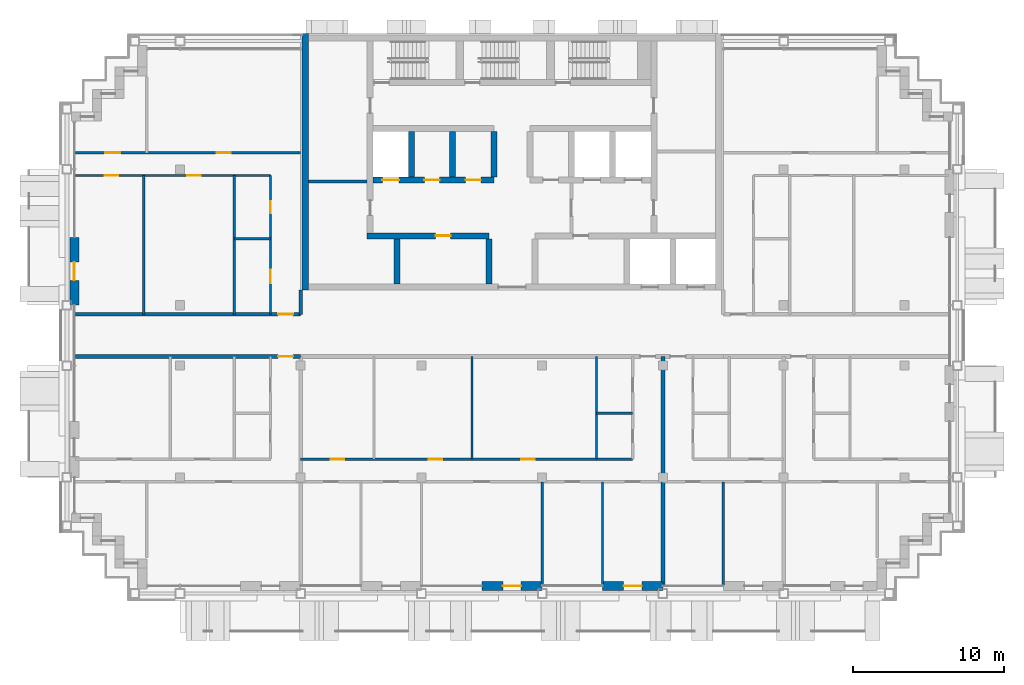
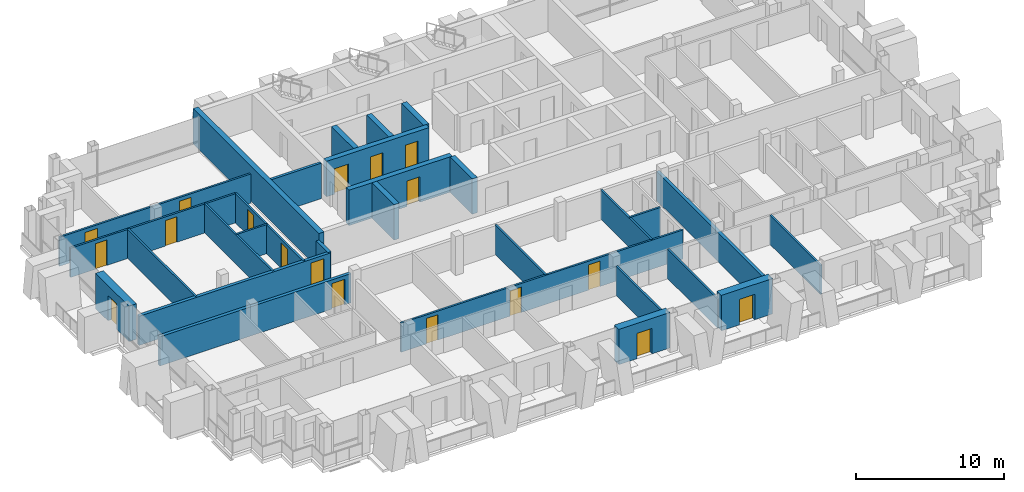
# One storey, part 8 of 15: 29 walls, 18 doors, 18 openings.
"""IFC4 building model written with IfcOpenShell, lengths in metres."""

from ifc_helpers import new_model, si_unit, direction, frame, frame_2d, origin, place, context, subcontext, project, spatial, rectangle, extrude, material, layer, layer_set, type_object, element, fill, save


model = new_model("IFC4")

# Units and contexts
model_context = context("Model", 3, precision=1e-05, world=origin(), true_north=direction((0.0, 1.0)))
body_context = subcontext(model_context, "Body", "Model", "MODEL_VIEW")
ifc_project = project(units=[si_unit("LENGTHUNIT", "METRE"), si_unit("AREAUNIT", "SQUARE_METRE"), si_unit("VOLUMEUNIT", "CUBIC_METRE"), si_unit("PLANEANGLEUNIT", "RADIAN"), si_unit("MASSUNIT", "GRAM", prefix="KILO")], contexts=[model_context])

# Site, building, storey
site_placement = place(None, origin())
site = spatial("IfcSite", under=ifc_project, at=site_placement, CompositionType="ELEMENT")
building_placement = place(site_placement, origin())
building = spatial("IfcBuilding", under=site, at=building_placement, Name="Vidyagriha Tower", CompositionType="ELEMENT")
storey_placement = place(building_placement, frame((0.0, 0.0, 210.800048828125)))
storey = spatial("IfcBuildingStorey", under=building, at=storey_placement, Name="L54", CompositionType="ELEMENT", Elevation=210.800048828125)

# Wall, opening, door
ifc_material_1 = material(Name="Precast concrete C40/50 with brick facing", Category="concrete")
ifc_layer_1 = layer(ifc_material_1, 0.60009765625)
ifc_layer_set_1 = layer_set([ifc_layer_1], Name="Precast concrete C40/50 with brick facing")
wall_type_1 = type_object("IfcWallType", Name="Brick-faced precast wall 600", PredefinedType="STANDARD", material=ifc_layer_set_1)
wall_1_placement = place(storey_placement, frame((-29.0, 6.5, 0.0), z_axis=(0.0, 0.0, 1.0), x_axis=(0.0, -1.0, 0.0)))
wall_1 = element("IfcWall", 1, at=wall_1_placement, inside=storey, type_object=wall_type_1, Name="Brick door bay wall L54 R16.3", PredefinedType="STANDARD", context=body_context, shape_type="SweptSolid", body=[
    extrude(rectangle(XDim=4.5, YDim=0.60009765625, at=frame_2d((2.25, 0.0))), origin(), (0.0, 0.0, 1.0), 2.919921875),
])
opening_1_placement = place(wall_1_placement, frame((1.64990234375, 0.0, 0.0)))
opening_1 = element("IfcOpeningElement", 2, at=opening_1_placement, cuts=wall_1, Name="Opening D54-59", PredefinedType="OPENING", context=body_context, shape_type="SweptSolid", body=[
    extrude(rectangle(XDim=1.199951171875, YDim=2.10009765625, at=frame_2d((0.60009765625, 1.050048828125))), frame((0.0, 0.31005859375, 0.0), z_axis=(0.0, -1.0, 0.0), x_axis=(1.0, 0.0, 0.0)), (0.0, 0.0, 1.0), 0.6201171875),
])
ifc_material_2 = material(Name="Aluminium framed glazed sliding door", Category="aluminium")
door_type_1 = type_object("IfcDoorType", Name="Balcony sliding door 1200x2100", OperationType="NOTDEFINED", PredefinedType="DOOR", material=ifc_material_2)
door_1_placement = place(opening_1_placement, origin())
door_1 = element("IfcDoor", 3, at=door_1_placement, inside=storey, type_object=door_type_1, Name="Door D54-59", OperationType="SLIDING_TO_LEFT", OverallHeight=2.10009765625, OverallWidth=1.199951171875, PredefinedType="DOOR", context=body_context, shape_type="SweptSolid", body=[
    extrude(rectangle(XDim=1.199951171875, YDim=2.10009765625, at=frame_2d((0.60009765625, 1.050048828125))), frame((0.0, 0.02490234375, 0.0), z_axis=(0.0, -1.0, 0.0), x_axis=(1.0, 0.0, 0.0)), (0.0, 0.0, 1.0), 0.050048828125),
])
fill(opening_1, door_1)

wall_2_placement = place(storey_placement, frame((-2.0, -16.60009765625, 0.0)))
wall_2 = element("IfcWall", 4, at=wall_2_placement, inside=storey, type_object=wall_type_1, Name="Brick door bay wall L54 R23.7", PredefinedType="STANDARD", context=body_context, shape_type="SweptSolid", body=[
    extrude(rectangle(XDim=4.0, YDim=0.60009765625, at=frame_2d((2.0, 0.0))), origin(), (0.0, 0.0, 1.0), 2.919921875),
])
opening_2_placement = place(wall_2_placement, frame((1.39990234375, 0.0, 0.0)))
opening_2 = element("IfcOpeningElement", 5, at=opening_2_placement, cuts=wall_2, Name="Opening D54-63", PredefinedType="OPENING", context=body_context, shape_type="SweptSolid", body=[
    extrude(rectangle(XDim=1.199951171875, YDim=2.10009765625, at=frame_2d((0.60009765625, 1.050048828125))), frame((0.0, 0.31005859375, 0.0), z_axis=(0.0, -1.0, 0.0), x_axis=(1.0, 0.0, 0.0)), (0.0, 0.0, 1.0), 0.6201171875),
])
door_2_placement = place(opening_2_placement, origin())
door_2 = element("IfcDoor", 6, at=door_2_placement, inside=storey, type_object=door_type_1, Name="Door D54-63", OperationType="SLIDING_TO_LEFT", OverallHeight=2.10009765625, OverallWidth=1.199951171875, PredefinedType="DOOR", context=body_context, shape_type="SweptSolid", body=[
    extrude(rectangle(XDim=1.199951171875, YDim=2.10009765625, at=frame_2d((0.60009765625, 1.050048828125))), frame((0.0, 0.02490234375, 0.0), z_axis=(0.0, -1.0, 0.0), x_axis=(1.0, 0.0, 0.0)), (0.0, 0.0, 1.0), 0.050048828125),
])
fill(opening_2, door_2)

wall_3_placement = place(storey_placement, frame((6.0, -16.60009765625, 0.0)))
wall_3 = element("IfcWall", 7, at=wall_3_placement, inside=storey, type_object=wall_type_1, Name="Brick door bay wall L54 R23.9", PredefinedType="STANDARD", context=body_context, shape_type="SweptSolid", body=[
    extrude(rectangle(XDim=4.0, YDim=0.60009765625, at=frame_2d((2.0, 0.0))), origin(), (0.0, 0.0, 1.0), 2.919921875),
])
opening_3_placement = place(wall_3_placement, frame((1.39990234375, 0.0, 0.0)))
opening_3 = element("IfcOpeningElement", 8, at=opening_3_placement, cuts=wall_3, Name="Opening D54-64", PredefinedType="OPENING", context=body_context, shape_type="SweptSolid", body=[
    extrude(rectangle(XDim=1.199951171875, YDim=2.10009765625, at=frame_2d((0.60009765625, 1.050048828125))), frame((0.0, 0.31005859375, 0.0), z_axis=(0.0, -1.0, 0.0), x_axis=(1.0, 0.0, 0.0)), (0.0, 0.0, 1.0), 0.6201171875),
])
door_3_placement = place(opening_3_placement, origin())
door_3 = element("IfcDoor", 9, at=door_3_placement, inside=storey, type_object=door_type_1, Name="Door D54-64", OperationType="SLIDING_TO_LEFT", OverallHeight=2.10009765625, OverallWidth=1.199951171875, PredefinedType="DOOR", context=body_context, shape_type="SweptSolid", body=[
    extrude(rectangle(XDim=1.199951171875, YDim=2.10009765625, at=frame_2d((0.60009765625, 1.050048828125))), frame((0.0, 0.02490234375, 0.0), z_axis=(0.0, -1.0, 0.0), x_axis=(1.0, 0.0, 0.0)), (0.0, 0.0, 1.0), 0.050048828125),
])
fill(opening_3, door_3)

# Wall
ifc_material_3 = material(Name="Concrete C60/75", Category="concrete")
ifc_layer_2 = layer(ifc_material_3, 0.39990234375)
ifc_layer_set_2 = layer_set([ifc_layer_2], Name="Concrete C60/75")
wall_type_2 = type_object("IfcWallType", Name="Core shear wall 400 mm", PredefinedType="SHEAR", material=ifc_layer_set_2)
wall_4_placement = place(storey_placement, frame((-13.699951171875, 3.0, 0.0), z_axis=(0.0, 0.0, 1.0), x_axis=(0.0, 1.0, 0.0)))
element("IfcWall", 10, at=wall_4_placement, inside=storey, type_object=wall_type_2, Name="Core west wall", PredefinedType="SHEAR", context=body_context, shape_type="SweptSolid", body=[
    extrude(rectangle(XDim=17.0, YDim=0.39990234375, at=frame_2d((8.5, 0.0))), origin(), (0.0, 0.0, 1.0), 2.919921875),
])

# Wall, opening, door
wall_5_placement = place(storey_placement, frame((-9.60009765625, 6.60009765625, 0.0)))
wall_5 = element("IfcWall", 11, at=wall_5_placement, inside=storey, type_object=wall_type_2, Name="Core lobby south wall west", PredefinedType="SHEAR", context=body_context, shape_type="SweptSolid", body=[
    extrude(rectangle(XDim=8.077880859375, YDim=0.39990234375, at=frame_2d((4.0390625, 0.0))), origin(), (0.0, 0.0, 1.0), 2.919921875),
])
opening_4_placement = place(wall_5_placement, frame((4.533203125, 0.0, 0.0)))
opening_4 = element("IfcOpeningElement", 12, at=opening_4_placement, cuts=wall_5, Name="Opening D54-02", PredefinedType="OPENING", context=body_context, shape_type="SweptSolid", body=[
    extrude(rectangle(XDim=1.0, YDim=2.10009765625, at=frame_2d((0.5, 1.050048828125))), frame((0.0, 0.2099609375, 0.0), z_axis=(0.0, -1.0, 0.0), x_axis=(1.0, 0.0, 0.0)), (0.0, 0.0, 1.0), 0.419921875),
])
ifc_material_4 = material(Name="Hollow metal door leaf")
door_type_2 = type_object("IfcDoorType", Name="Core room door 1000 x 2100 mm EI 60", OperationType="NOTDEFINED", PredefinedType="DOOR", material=ifc_material_4)
door_4_placement = place(opening_4_placement, origin())
door_4 = element("IfcDoor", 13, at=door_4_placement, inside=storey, type_object=door_type_2, Name="Door Cleaners Store 54.01", OperationType="SINGLE_SWING_RIGHT", OverallHeight=2.10009765625, OverallWidth=1.0, PredefinedType="DOOR", context=body_context, shape_type="SweptSolid", body=[
    extrude(rectangle(XDim=1.0, YDim=2.10009765625, at=frame_2d((0.5, 1.050048828125))), frame((0.0, 0.02490234375, 0.0), z_axis=(0.0, -1.0, 0.0), x_axis=(1.0, 0.0, 0.0)), (0.0, 0.0, 1.0), 0.050048828125),
])
fill(opening_4, door_4)

# Walls
for number, where, z_axis, x_axis, name in (
    (14, (-7.611083984375, 3.39990234375, 0.0), (0.0, 0.0, 1.0), (0.0, 1.0, 0.0), "Core bay wall S2"),
    (15, (-1.522216796875, 3.39990234375, 0.0), (0.0, 0.0, 1.0), (0.0, 1.0, 0.0), "Core bay wall S4"),
):
    element("IfcWall", number, at=place(storey_placement, frame(where, z_axis=z_axis, x_axis=x_axis)), inside=storey, type_object=wall_type_2, Name=name, PredefinedType="SHEAR", context=body_context, shape_type="SweptSolid", body=[
        extrude(rectangle(XDim=3.0, YDim=0.39990234375, at=frame_2d((1.5, 0.0))), origin(), (0.0, 0.0, 1.0), 2.919921875),
    ])

# Wall, openings, doors
wall_6_placement = place(storey_placement, frame((-9.199951171875, 10.300048828125, 0.0)))
wall_6 = element("IfcWall", 16, at=wall_6_placement, inside=storey, type_object=wall_type_2, Name="Core row N front wall", PredefinedType="SHEAR", context=body_context, shape_type="SweptSolid", body=[
    extrude(rectangle(XDim=8.0, YDim=0.39990234375, at=frame_2d((4.0, 0.0))), origin(), (0.0, 0.0, 1.0), 2.919921875),
])
opening_5_placement = place(wall_6_placement, frame((0.61669921875, 0.0, 0.0)))
opening_5 = element("IfcOpeningElement", 17, at=opening_5_placement, cuts=wall_6, Name="Opening LD54-03", PredefinedType="OPENING", context=body_context, shape_type="SweptSolid", body=[
    extrude(rectangle(XDim=1.10009765625, YDim=2.10009765625, at=frame_2d((0.550048828125, 1.050048828125))), frame((0.0, 0.2099609375, 0.0), z_axis=(0.0, -1.0, 0.0), x_axis=(1.0, 0.0, 0.0)), (0.0, 0.0, 1.0), 0.419921875),
])
opening_6_placement = place(wall_6_placement, frame((3.39990234375, 0.0, 0.0)))
opening_6 = element("IfcOpeningElement", 18, at=opening_6_placement, cuts=wall_6, Name="Opening D54-04", PredefinedType="OPENING", context=body_context, shape_type="SweptSolid", body=[
    extrude(rectangle(XDim=1.0, YDim=2.10009765625, at=frame_2d((0.5, 1.050048828125))), frame((0.0, 0.2099609375, 0.0), z_axis=(0.0, -1.0, 0.0), x_axis=(1.0, 0.0, 0.0)), (0.0, 0.0, 1.0), 0.419921875),
])
opening_7_placement = place(wall_6_placement, frame((6.13330078125, 0.0, 0.0)))
opening_7 = element("IfcOpeningElement", 19, at=opening_7_placement, cuts=wall_6, Name="Opening D54-05", PredefinedType="OPENING", context=body_context, shape_type="SweptSolid", body=[
    extrude(rectangle(XDim=1.0, YDim=2.10009765625, at=frame_2d((0.5, 1.050048828125))), frame((0.0, 0.2099609375, 0.0), z_axis=(0.0, -1.0, 0.0), x_axis=(1.0, 0.0, 0.0)), (0.0, 0.0, 1.0), 0.419921875),
])
door_5_placement = place(opening_6_placement, frame((1.0, 0.0, 0.0), z_axis=(0.0, 0.0, 1.0), x_axis=(-1.0, 0.0, 0.0)))
door_5 = element("IfcDoor", 20, at=door_5_placement, inside=storey, type_object=door_type_2, Name="Door Storage Room 54.14", OperationType="SINGLE_SWING_RIGHT", OverallHeight=2.10009765625, OverallWidth=1.0, PredefinedType="DOOR", context=body_context, shape_type="SweptSolid", body=[
    extrude(rectangle(XDim=1.0, YDim=2.10009765625, at=frame_2d((0.5, 1.050048828125))), frame((0.0, 0.02490234375, 0.0), z_axis=(0.0, -1.0, 0.0), x_axis=(1.0, 0.0, 0.0)), (0.0, 0.0, 1.0), 0.050048828125),
])
fill(opening_6, door_5)
door_6_placement = place(opening_7_placement, frame((1.0, 0.0, 0.0), z_axis=(0.0, 0.0, 1.0), x_axis=(-1.0, 0.0, 0.0)))
door_6 = element("IfcDoor", 21, at=door_6_placement, inside=storey, type_object=door_type_2, Name="Door Communications Room 54.15", OperationType="SINGLE_SWING_LEFT", OverallHeight=2.10009765625, OverallWidth=1.0, PredefinedType="DOOR", context=body_context, shape_type="SweptSolid", body=[
    extrude(rectangle(XDim=1.0, YDim=2.10009765625, at=frame_2d((0.5, 1.050048828125))), frame((0.0, 0.02490234375, 0.0), z_axis=(0.0, -1.0, 0.0), x_axis=(1.0, 0.0, 0.0)), (0.0, 0.0, 1.0), 0.050048828125),
])
fill(opening_7, door_6)
ifc_material_5 = material(Name="Stainless steel sliding door panel", Category="steel")
door_type_3 = type_object("IfcDoorType", Name="Lift landing door 1100 x 2100 mm EI 90", OperationType="NOTDEFINED", PredefinedType="DOOR", material=ifc_material_5)
door_7_placement = place(opening_5_placement, origin())
door_7 = element("IfcDoor", 22, at=door_7_placement, inside=storey, type_object=door_type_3, Name="Landing door MR3 L54", OperationType="SLIDING_TO_LEFT", OverallHeight=2.10009765625, OverallWidth=1.10009765625, PredefinedType="DOOR", context=body_context, shape_type="SweptSolid", body=[
    extrude(rectangle(XDim=1.10009765625, YDim=2.10009765625, at=frame_2d((0.550048828125, 1.050048828125))), frame((0.0, 0.02490234375, 0.0), z_axis=(0.0, -1.0, 0.0), x_axis=(1.0, 0.0, 0.0)), (0.0, 0.0, 1.0), 0.050048828125),
])
fill(opening_5, door_7)

# Walls
for number, where, z_axis, x_axis, name in (
    (23, (-6.666748046875, 10.5, 0.0), (0.0, 0.0, 1.0), (0.0, 1.0, 0.0), "Core bay wall N1"),
    (24, (-3.933349609375, 10.5, 0.0), (0.0, 0.0, 1.0), (0.0, 1.0, 0.0), "Core bay wall N2"),
    (25, (-1.199951171875, 10.5, 0.0), (0.0, 0.0, 1.0), (0.0, 1.0, 0.0), "Core bay wall N3"),
):
    element("IfcWall", number, at=place(storey_placement, frame(where, z_axis=z_axis, x_axis=x_axis)), inside=storey, type_object=wall_type_2, Name=name, PredefinedType="SHEAR", context=body_context, shape_type="SweptSolid", body=[
        extrude(rectangle(XDim=3.0, YDim=0.39990234375, at=frame_2d((1.5, 0.0))), origin(), (0.0, 0.0, 1.0), 2.919921875),
    ])

# Wall, opening, door
ifc_material_6 = material(Name="Fired clay brick masonry", Category="masonry")
ifc_layer_3 = layer(ifc_material_6, 0.25)
ifc_layer_set_3 = layer_set([ifc_layer_3], Name="Fired clay brick masonry")
wall_type_3 = type_object("IfcWallType", Name="Fired clay brick corridor wall 250", PredefinedType="PARTITIONING", material=ifc_layer_set_3)
wall_7_placement = place(storey_placement, frame((-14.0, -1.39990234375, 0.0), z_axis=(0.0, 0.0, 1.0), x_axis=(-1.0, 0.0, 0.0)))
wall_7 = element("IfcWall", 26, at=wall_7_placement, inside=storey, type_object=wall_type_3, Name="Wall all-L54-w064", PredefinedType="PARTITIONING", context=body_context, shape_type="SweptSolid", body=[
    extrude(rectangle(XDim=14.919921875, YDim=0.25, at=frame_2d((7.4599609375, 0.0))), origin(), (0.0, 0.0, 1.0), 2.39990234375),
])
opening_8_placement = place(wall_7_placement, frame((0.5, 0.0, 0.0)))
opening_8 = element("IfcOpeningElement", 27, at=opening_8_placement, cuts=wall_7, Name="Opening D54-21", PredefinedType="OPENING", context=body_context, shape_type="SweptSolid", body=[
    extrude(rectangle(XDim=1.0, YDim=2.10009765625, at=frame_2d((0.5, 1.050048828125))), frame((0.0, 0.135009765625, 0.0), z_axis=(0.0, -1.0, 0.0), x_axis=(1.0, 0.0, 0.0)), (0.0, 0.0, 1.0), 0.27001953125),
])
ifc_material_7 = material(Name="Fire-rated timber door leaf EI 60", Category="wood")
door_type_4 = type_object("IfcDoorType", Name="Flat entrance fire door 1000x2100", OperationType="NOTDEFINED", PredefinedType="DOOR", material=ifc_material_7)
door_8_placement = place(opening_8_placement, origin())
door_8 = element("IfcDoor", 28, at=door_8_placement, inside=storey, type_object=door_type_4, Name="Door D54-21", OperationType="SINGLE_SWING_LEFT", OverallHeight=2.10009765625, OverallWidth=1.0, PredefinedType="DOOR", context=body_context, shape_type="SweptSolid", body=[
    extrude(rectangle(XDim=1.0, YDim=2.10009765625, at=frame_2d((0.5, 1.050048828125))), frame((0.0, 0.02490234375, 0.0), z_axis=(0.0, -1.0, 0.0), x_axis=(1.0, 0.0, 0.0)), (0.0, 0.0, 1.0), 0.050048828125),
])
fill(opening_8, door_8)

wall_8_placement = place(storey_placement, frame((-28.919921875, 1.39990234375, 0.0)))
wall_8 = element("IfcWall", 29, at=wall_8_placement, inside=storey, type_object=wall_type_3, Name="Wall all-L54-w080", PredefinedType="PARTITIONING", context=body_context, shape_type="SweptSolid", body=[
    extrude(rectangle(XDim=14.919921875, YDim=0.25, at=frame_2d((7.4599609375, 0.0))), origin(), (0.0, 0.0, 1.0), 2.39990234375),
])
opening_9_placement = place(wall_8_placement, frame((13.419921875, 0.0, 0.0)))
opening_9 = element("IfcOpeningElement", 30, at=opening_9_placement, cuts=wall_8, Name="Opening D54-51", PredefinedType="OPENING", context=body_context, shape_type="SweptSolid", body=[
    extrude(rectangle(XDim=1.0, YDim=2.10009765625, at=frame_2d((0.5, 1.050048828125))), frame((0.0, 0.135009765625, 0.0), z_axis=(0.0, -1.0, 0.0), x_axis=(1.0, 0.0, 0.0)), (0.0, 0.0, 1.0), 0.27001953125),
])
door_9_placement = place(opening_9_placement, origin())
door_9 = element("IfcDoor", 31, at=door_9_placement, inside=storey, type_object=door_type_4, Name="Door D54-51", OperationType="SINGLE_SWING_RIGHT", OverallHeight=2.10009765625, OverallWidth=1.0, PredefinedType="DOOR", context=body_context, shape_type="SweptSolid", body=[
    extrude(rectangle(XDim=1.0, YDim=2.10009765625, at=frame_2d((0.5, 1.050048828125))), frame((0.0, 0.02490234375, 0.0), z_axis=(0.0, -1.0, 0.0), x_axis=(1.0, 0.0, 0.0)), (0.0, 0.0, 1.0), 0.050048828125),
])
fill(opening_9, door_9)

# Walls
wall_9_placement = place(storey_placement, frame((-14.0, 3.0, 0.0), z_axis=(0.0, 0.0, 1.0), x_axis=(0.0, -1.0, 0.0)))
element("IfcWall", 32, at=wall_9_placement, inside=storey, type_object=wall_type_3, Name="Wall all-L54-w097", PredefinedType="PARTITIONING", context=body_context, shape_type="SweptSolid", body=[
    extrude(rectangle(XDim=1.60009765625, YDim=0.25, at=frame_2d((0.800048828125, 0.0))), origin(), (0.0, 0.0, 1.0), 2.39990234375),
])
ifc_material_8 = material(Name="Fired clay brick masonry", Category="masonry")
ifc_layer_4 = layer(ifc_material_8, 0.25)
ifc_layer_set_4 = layer_set([ifc_layer_4], Name="Fired clay brick masonry")
wall_type_4 = type_object("IfcWallType", Name="Fired clay brick demising wall 250", PredefinedType="PARTITIONING", material=ifc_layer_set_4)
wall_10_placement = place(storey_placement, frame((10.0, -1.39990234375, 0.0), z_axis=(0.0, 0.0, 1.0), x_axis=(0.0, -1.0, 0.0)))
element("IfcWall", 33, at=wall_10_placement, inside=storey, type_object=wall_type_4, Name="Wall all-L54-w050", PredefinedType="PARTITIONING", context=body_context, shape_type="SweptSolid", body=[
    extrude(rectangle(XDim=15.110107421875, YDim=0.25, at=frame_2d((7.55517578125, 0.0))), origin(), (0.0, 0.0, 1.0), 2.39990234375),
])
ifc_material_9 = material(Name="Gypsum board partition")
ifc_layer_5 = layer(ifc_material_9, 0.14990234375)
ifc_layer_set_5 = layer_set([ifc_layer_5], Name="Gypsum board partition")
wall_type_5 = type_object("IfcWallType", Name="Gypsum board partition 150", PredefinedType="PARTITIONING", material=ifc_layer_set_5)
wall_11_placement = place(storey_placement, frame((8.0, -5.14990234375, 0.0), z_axis=(0.0, 0.0, 1.0), x_axis=(-1.0, 0.0, 0.0)))
element("IfcWall", 34, at=wall_11_placement, inside=storey, type_object=wall_type_5, Name="Wall all-L54-w018", PredefinedType="PARTITIONING", context=body_context, shape_type="SweptSolid", body=[
    extrude(rectangle(XDim=2.39990234375, YDim=0.14990234375, at=frame_2d((1.199951171875, 0.0))), origin(), (0.0, 0.0, 1.0), 2.39990234375),
])
for number, where, z_axis, x_axis, name in (
    (35, (5.60009765625, -8.199951171875, 0.0), (0.0, 0.0, 1.0), (0.0, 1.0, 0.0), "Wall all-L54-w019"),
    (36, (-2.64990234375, -8.199951171875, 0.0), (0.0, 0.0, 1.0), (0.0, 1.0, 0.0), "Wall all-L54-w020"),
):
    element("IfcWall", number, at=place(storey_placement, frame(where, z_axis=z_axis, x_axis=x_axis)), inside=storey, type_object=wall_type_5, Name=name, PredefinedType="PARTITIONING", context=body_context, shape_type="SweptSolid", body=[
        extrude(rectangle(XDim=6.800048828125, YDim=0.14990234375, at=frame_2d((3.39990234375, 0.0))), origin(), (0.0, 0.0, 1.0), 2.39990234375),
    ])

# Wall, openings, doors
wall_12_placement = place(storey_placement, frame((-14.0, -8.199951171875, 0.0)))
wall_12 = element("IfcWall", 37, at=wall_12_placement, inside=storey, type_object=wall_type_5, Name="Wall all-L54-w022", PredefinedType="PARTITIONING", context=body_context, shape_type="SweptSolid", body=[
    extrude(rectangle(XDim=22.0, YDim=0.14990234375, at=frame_2d((11.0, 0.0))), origin(), (0.0, 0.0, 1.0), 2.39990234375),
])
opening_10_placement = place(wall_12_placement, frame((14.6240234375, 0.0, 0.0)))
opening_10 = element("IfcOpeningElement", 38, at=opening_10_placement, cuts=wall_12, Name="Opening D54-24", PredefinedType="OPENING", context=body_context, shape_type="SweptSolid", body=[
    extrude(rectangle(XDim=0.89990234375, YDim=2.10009765625, at=frame_2d((0.449951171875, 1.050048828125))), frame((0.0, 0.0849609375, 0.0), z_axis=(0.0, -1.0, 0.0), x_axis=(1.0, 0.0, 0.0)), (0.0, 0.0, 1.0), 0.169921875),
])
opening_11_placement = place(wall_12_placement, frame((8.47607421875, 0.0, 0.0)))
opening_11 = element("IfcOpeningElement", 39, at=opening_11_placement, cuts=wall_12, Name="Opening D54-25", PredefinedType="OPENING", context=body_context, shape_type="SweptSolid", body=[
    extrude(rectangle(XDim=0.89990234375, YDim=2.10009765625, at=frame_2d((0.449951171875, 1.050048828125))), frame((0.0, 0.0849609375, 0.0), z_axis=(0.0, -1.0, 0.0), x_axis=(1.0, 0.0, 0.0)), (0.0, 0.0, 1.0), 0.169921875),
])
opening_12_placement = place(wall_12_placement, frame((1.97509765625, 0.0, 0.0)))
opening_12 = element("IfcOpeningElement", 40, at=opening_12_placement, cuts=wall_12, Name="Opening D54-26", PredefinedType="OPENING", context=body_context, shape_type="SweptSolid", body=[
    extrude(rectangle(XDim=0.89990234375, YDim=2.10009765625, at=frame_2d((0.449951171875, 1.050048828125))), frame((0.0, 0.0849609375, 0.0), z_axis=(0.0, -1.0, 0.0), x_axis=(1.0, 0.0, 0.0)), (0.0, 0.0, 1.0), 0.169921875),
])
ifc_material_10 = material(Name="Timber door leaf", Category="wood")
door_type_5 = type_object("IfcDoorType", Name="Room door 900x2100", OperationType="NOTDEFINED", PredefinedType="DOOR", material=ifc_material_10)
door_10_placement = place(opening_10_placement, origin())
door_10 = element("IfcDoor", 41, at=door_10_placement, inside=storey, type_object=door_type_5, Name="Door D54-24", OperationType="SINGLE_SWING_LEFT", OverallHeight=2.10009765625, OverallWidth=0.89990234375, PredefinedType="DOOR", context=body_context, shape_type="SweptSolid", body=[
    extrude(rectangle(XDim=0.89990234375, YDim=2.10009765625, at=frame_2d((0.449951171875, 1.050048828125))), frame((0.0, 0.02490234375, 0.0), z_axis=(0.0, -1.0, 0.0), x_axis=(1.0, 0.0, 0.0)), (0.0, 0.0, 1.0), 0.050048828125),
])
fill(opening_10, door_10)
door_11_placement = place(opening_11_placement, origin())
door_11 = element("IfcDoor", 42, at=door_11_placement, inside=storey, type_object=door_type_5, Name="Door D54-25", OperationType="SINGLE_SWING_RIGHT", OverallHeight=2.10009765625, OverallWidth=0.89990234375, PredefinedType="DOOR", context=body_context, shape_type="SweptSolid", body=[
    extrude(rectangle(XDim=0.89990234375, YDim=2.10009765625, at=frame_2d((0.449951171875, 1.050048828125))), frame((0.0, 0.02490234375, 0.0), z_axis=(0.0, -1.0, 0.0), x_axis=(1.0, 0.0, 0.0)), (0.0, 0.0, 1.0), 0.050048828125),
])
fill(opening_11, door_11)
door_12_placement = place(opening_12_placement, origin())
door_12 = element("IfcDoor", 43, at=door_12_placement, inside=storey, type_object=door_type_5, Name="Door D54-26", OperationType="SINGLE_SWING_RIGHT", OverallHeight=2.10009765625, OverallWidth=0.89990234375, PredefinedType="DOOR", context=body_context, shape_type="SweptSolid", body=[
    extrude(rectangle(XDim=0.89990234375, YDim=2.10009765625, at=frame_2d((0.449951171875, 1.050048828125))), frame((0.0, 0.02490234375, 0.0), z_axis=(0.0, -1.0, 0.0), x_axis=(1.0, 0.0, 0.0)), (0.0, 0.0, 1.0), 0.050048828125),
])
fill(opening_12, door_12)

# Walls
wall_13_placement = place(storey_placement, frame((2.0, -9.699951171875, 0.0), z_axis=(0.0, 0.0, 1.0), x_axis=(0.0, -1.0, 0.0)))
element("IfcWall", 44, at=wall_13_placement, inside=storey, type_object=wall_type_5, Name="Wall all-L54-w034", PredefinedType="PARTITIONING", context=body_context, shape_type="SweptSolid", body=[
    extrude(rectangle(XDim=6.81005859375, YDim=0.14990234375, at=frame_2d((3.405029296875, 0.0))), origin(), (0.0, 0.0, 1.0), 2.39990234375),
])
for number, where, z_axis, x_axis, name in (
    (45, (6.0, -9.699951171875, 0.0), (0.0, 0.0, 1.0), (0.0, -1.0, 0.0), "Wall all-L54-w035"),
    (46, (14.0, -9.699951171875, 0.0), (0.0, 0.0, 1.0), (0.0, -1.0, 0.0), "Wall all-L54-w048"),
):
    element("IfcWall", number, at=place(storey_placement, frame(where, z_axis=z_axis, x_axis=x_axis)), inside=storey, type_object=wall_type_5, Name=name, PredefinedType="PARTITIONING", context=body_context, shape_type="SweptSolid", body=[
        extrude(rectangle(XDim=6.821044921875, YDim=0.14990234375, at=frame_2d((3.41064453125, 0.0))), origin(), (0.0, 0.0, 1.0), 2.39990234375),
    ])
wall_14_placement = place(storey_placement, frame((-18.39990234375, 6.39990234375, 0.0)))
element("IfcWall", 47, at=wall_14_placement, inside=storey, type_object=wall_type_5, Name="Wall all-L54-w069", PredefinedType="PARTITIONING", context=body_context, shape_type="SweptSolid", body=[
    extrude(rectangle(XDim=2.39990234375, YDim=0.14990234375, at=frame_2d((1.199951171875, 0.0))), origin(), (0.0, 0.0, 1.0), 2.39990234375),
])
for number, where, z_axis, x_axis, name in (
    (48, (-18.39990234375, 1.39990234375, 0.0), (0.0, 0.0, 1.0), (0.0, 1.0, 0.0), "Wall all-L54-w070"),
    (49, (-24.39990234375, 1.39990234375, 0.0), (0.0, 0.0, 1.0), (0.0, 1.0, 0.0), "Wall all-L54-w071"),
):
    element("IfcWall", number, at=place(storey_placement, frame(where, z_axis=z_axis, x_axis=x_axis)), inside=storey, type_object=wall_type_5, Name=name, PredefinedType="PARTITIONING", context=body_context, shape_type="SweptSolid", body=[
        extrude(rectangle(XDim=9.2001953125, YDim=0.14990234375, at=frame_2d((4.60009765625, 0.0))), origin(), (0.0, 0.0, 1.0), 2.39990234375),
    ])

# Wall, openings, doors
wall_15_placement = place(storey_placement, frame((-16.0, 10.60009765625, 0.0), z_axis=(0.0, 0.0, 1.0), x_axis=(-1.0, 0.0, 0.0)))
wall_15 = element("IfcWall", 50, at=wall_15_placement, inside=storey, type_object=wall_type_5, Name="Wall all-L54-w072", PredefinedType="PARTITIONING", context=body_context, shape_type="SweptSolid", body=[
    extrude(rectangle(XDim=12.919921875, YDim=0.14990234375, at=frame_2d((6.4599609375, 0.0))), origin(), (0.0, 0.0, 1.0), 2.39990234375),
])
opening_13_placement = place(wall_15_placement, frame((4.6240234375, 0.0, 0.0)))
opening_13 = element("IfcOpeningElement", 51, at=opening_13_placement, cuts=wall_15, Name="Opening D54-47", PredefinedType="OPENING", context=body_context, shape_type="SweptSolid", body=[
    extrude(rectangle(XDim=0.89990234375, YDim=2.10009765625, at=frame_2d((0.449951171875, 1.050048828125))), frame((0.0, 0.0849609375, 0.0), z_axis=(0.0, -1.0, 0.0), x_axis=(1.0, 0.0, 0.0)), (0.0, 0.0, 1.0), 0.169921875),
])
opening_14_placement = place(wall_15_placement, frame((10.10009765625, 0.0, 0.0)))
opening_14 = element("IfcOpeningElement", 52, at=opening_14_placement, cuts=wall_15, Name="Opening D54-48", PredefinedType="OPENING", context=body_context, shape_type="SweptSolid", body=[
    extrude(rectangle(XDim=0.89990234375, YDim=2.10009765625, at=frame_2d((0.449951171875, 1.050048828125))), frame((0.0, 0.0849609375, 0.0), z_axis=(0.0, -1.0, 0.0), x_axis=(1.0, 0.0, 0.0)), (0.0, 0.0, 1.0), 0.169921875),
])
door_13_placement = place(opening_13_placement, origin())
door_13 = element("IfcDoor", 53, at=door_13_placement, inside=storey, type_object=door_type_5, Name="Door D54-47", OperationType="SINGLE_SWING_LEFT", OverallHeight=2.10009765625, OverallWidth=0.89990234375, PredefinedType="DOOR", context=body_context, shape_type="SweptSolid", body=[
    extrude(rectangle(XDim=0.89990234375, YDim=2.10009765625, at=frame_2d((0.449951171875, 1.050048828125))), frame((0.0, 0.02490234375, 0.0), z_axis=(0.0, -1.0, 0.0), x_axis=(1.0, 0.0, 0.0)), (0.0, 0.0, 1.0), 0.050048828125),
])
fill(opening_13, door_13)
door_14_placement = place(opening_14_placement, origin())
door_14 = element("IfcDoor", 54, at=door_14_placement, inside=storey, type_object=door_type_5, Name="Door D54-48", OperationType="SINGLE_SWING_RIGHT", OverallHeight=2.10009765625, OverallWidth=0.89990234375, PredefinedType="DOOR", context=body_context, shape_type="SweptSolid", body=[
    extrude(rectangle(XDim=0.89990234375, YDim=2.10009765625, at=frame_2d((0.449951171875, 1.050048828125))), frame((0.0, 0.02490234375, 0.0), z_axis=(0.0, -1.0, 0.0), x_axis=(1.0, 0.0, 0.0)), (0.0, 0.0, 1.0), 0.050048828125),
])
fill(opening_14, door_14)

wall_16_placement = place(storey_placement, frame((-28.919921875, 12.10009765625, 0.0)))
wall_16 = element("IfcWall", 55, at=wall_16_placement, inside=storey, type_object=wall_type_5, Name="Wall all-L54-w075", PredefinedType="PARTITIONING", context=body_context, shape_type="SweptSolid", body=[
    extrude(rectangle(XDim=14.919921875, YDim=0.14990234375, at=frame_2d((7.4599609375, 0.0))), origin(), (0.0, 0.0, 1.0), 2.39990234375),
])
opening_15_placement = place(wall_16_placement, frame((1.969970703125, 0.0, 0.0)))
opening_15 = element("IfcOpeningElement", 56, at=opening_15_placement, cuts=wall_16, Name="Opening D54-49", PredefinedType="OPENING", context=body_context, shape_type="SweptSolid", body=[
    extrude(rectangle(XDim=1.0, YDim=2.10009765625, at=frame_2d((0.5, 1.050048828125))), frame((0.0, 0.0849609375, 0.0), z_axis=(0.0, -1.0, 0.0), x_axis=(1.0, 0.0, 0.0)), (0.0, 0.0, 1.0), 0.169921875),
])
opening_16_placement = place(wall_16_placement, frame((9.3701171875, 0.0, 0.0)))
opening_16 = element("IfcOpeningElement", 57, at=opening_16_placement, cuts=wall_16, Name="Opening D54-50", PredefinedType="OPENING", context=body_context, shape_type="SweptSolid", body=[
    extrude(rectangle(XDim=0.89990234375, YDim=2.10009765625, at=frame_2d((0.449951171875, 1.050048828125))), frame((0.0, 0.0849609375, 0.0), z_axis=(0.0, -1.0, 0.0), x_axis=(1.0, 0.0, 0.0)), (0.0, 0.0, 1.0), 0.169921875),
])
ifc_material_11 = material(Name="Timber door leaf", Category="wood")
door_type_6 = type_object("IfcDoorType", Name="Room door 1000x2100", OperationType="NOTDEFINED", PredefinedType="DOOR", material=ifc_material_11)
door_15_placement = place(opening_15_placement, origin())
door_15 = element("IfcDoor", 58, at=door_15_placement, inside=storey, type_object=door_type_6, Name="Door D54-49", OperationType="SINGLE_SWING_RIGHT", OverallHeight=2.10009765625, OverallWidth=1.0, PredefinedType="DOOR", context=body_context, shape_type="SweptSolid", body=[
    extrude(rectangle(XDim=1.0, YDim=2.10009765625, at=frame_2d((0.5, 1.050048828125))), frame((0.0, 0.02490234375, 0.0), z_axis=(0.0, -1.0, 0.0), x_axis=(1.0, 0.0, 0.0)), (0.0, 0.0, 1.0), 0.050048828125),
])
fill(opening_15, door_15)
door_16_placement = place(opening_16_placement, origin())
door_16 = element("IfcDoor", 59, at=door_16_placement, inside=storey, type_object=door_type_5, Name="Door D54-50", OperationType="SINGLE_SWING_LEFT", OverallHeight=2.10009765625, OverallWidth=0.89990234375, PredefinedType="DOOR", context=body_context, shape_type="SweptSolid", body=[
    extrude(rectangle(XDim=0.89990234375, YDim=2.10009765625, at=frame_2d((0.449951171875, 1.050048828125))), frame((0.0, 0.02490234375, 0.0), z_axis=(0.0, -1.0, 0.0), x_axis=(1.0, 0.0, 0.0)), (0.0, 0.0, 1.0), 0.050048828125),
])
fill(opening_16, door_16)

ifc_material_12 = material(Name="Moisture resistant gypsum board partition")
ifc_layer_6 = layer(ifc_material_12, 0.14990234375)
ifc_layer_set_6 = layer_set([ifc_layer_6], Name="Moisture resistant gypsum board partition")
wall_type_6 = type_object("IfcWallType", Name="Gypsum board wet-area partition 150", PredefinedType="PARTITIONING", material=ifc_layer_set_6)
wall_17_placement = place(storey_placement, frame((-16.0, 1.39990234375, 0.0), z_axis=(0.0, 0.0, 1.0), x_axis=(0.0, 1.0, 0.0)))
wall_17 = element("IfcWall", 60, at=wall_17_placement, inside=storey, type_object=wall_type_6, Name="Wall all-L54-w066", PredefinedType="PARTITIONING", context=body_context, shape_type="SweptSolid", body=[
    extrude(rectangle(XDim=9.2001953125, YDim=0.14990234375, at=frame_2d((4.60009765625, 0.0))), origin(), (0.0, 0.0, 1.0), 2.39990234375),
])
opening_17_placement = place(wall_17_placement, frame((2.050048828125, 0.0, 0.0)))
opening_17 = element("IfcOpeningElement", 61, at=opening_17_placement, cuts=wall_17, Name="Opening D54-45", PredefinedType="OPENING", context=body_context, shape_type="SweptSolid", body=[
    extrude(rectangle(XDim=0.89990234375, YDim=2.10009765625, at=frame_2d((0.449951171875, 1.050048828125))), frame((0.0, 0.0849609375, 0.0), z_axis=(0.0, -1.0, 0.0), x_axis=(1.0, 0.0, 0.0)), (0.0, 0.0, 1.0), 0.169921875),
])
opening_18_placement = place(wall_17_placement, frame((6.699951171875, 0.0, 0.0)))
opening_18 = element("IfcOpeningElement", 62, at=opening_18_placement, cuts=wall_17, Name="Opening D54-46", PredefinedType="OPENING", context=body_context, shape_type="SweptSolid", body=[
    extrude(rectangle(XDim=0.800048828125, YDim=2.10009765625, at=frame_2d((0.39990234375, 1.050048828125))), frame((0.0, 0.0849609375, 0.0), z_axis=(0.0, -1.0, 0.0), x_axis=(1.0, 0.0, 0.0)), (0.0, 0.0, 1.0), 0.169921875),
])
ifc_material_13 = material(Name="Timber door leaf", Category="wood")
door_type_7 = type_object("IfcDoorType", Name="Bathroom door 800x2100", OperationType="NOTDEFINED", PredefinedType="DOOR", material=ifc_material_13)
door_17_placement = place(opening_18_placement, origin())
door_17 = element("IfcDoor", 63, at=door_17_placement, inside=storey, type_object=door_type_7, Name="Door D54-46", OperationType="SINGLE_SWING_RIGHT", OverallHeight=2.10009765625, OverallWidth=0.800048828125, PredefinedType="DOOR", context=body_context, shape_type="SweptSolid", body=[
    extrude(rectangle(XDim=0.800048828125, YDim=2.10009765625, at=frame_2d((0.39990234375, 1.050048828125))), frame((0.0, 0.02490234375, 0.0), z_axis=(0.0, -1.0, 0.0), x_axis=(1.0, 0.0, 0.0)), (0.0, 0.0, 1.0), 0.050048828125),
])
fill(opening_18, door_17)
ifc_material_14 = material(Name="Timber door leaf", Category="wood")
door_type_8 = type_object("IfcDoorType", Name="Kitchen door 900x2100", OperationType="NOTDEFINED", PredefinedType="DOOR", material=ifc_material_14)
door_18_placement = place(opening_17_placement, origin())
door_18 = element("IfcDoor", 64, at=door_18_placement, inside=storey, type_object=door_type_8, Name="Door D54-45", OperationType="SINGLE_SWING_LEFT", OverallHeight=2.10009765625, OverallWidth=0.89990234375, PredefinedType="DOOR", context=body_context, shape_type="SweptSolid", body=[
    extrude(rectangle(XDim=0.89990234375, YDim=2.10009765625, at=frame_2d((0.449951171875, 1.050048828125))), frame((0.0, 0.02490234375, 0.0), z_axis=(0.0, -1.0, 0.0), x_axis=(1.0, 0.0, 0.0)), (0.0, 0.0, 1.0), 0.050048828125),
])
fill(opening_17, door_18)

# Wall
ifc_material_15 = material(Name="Blockwork 15 MPa", Category="masonry")
ifc_layer_7 = layer(ifc_material_15, 0.199951171875)
ifc_layer_set_7 = layer_set([ifc_layer_7], Name="Blockwork 15 MPa")
wall_type_7 = type_object("IfcWallType", Name="Service room partition 200 mm", PredefinedType="PARTITIONING", material=ifc_layer_set_7)
wall_18_placement = place(storey_placement, frame((-13.5, 10.199951171875, 0.0)))
element("IfcWall", 65, at=wall_18_placement, inside=storey, type_object=wall_type_7, Name="Core room partition W1", PredefinedType="PARTITIONING", context=body_context, shape_type="SweptSolid", body=[
    extrude(rectangle(XDim=3.89990234375, YDim=0.199951171875, at=frame_2d((1.949951171875, 0.0))), origin(), (0.0, 0.0, 1.0), 2.919921875),
])

save(model, "model.ifc")
